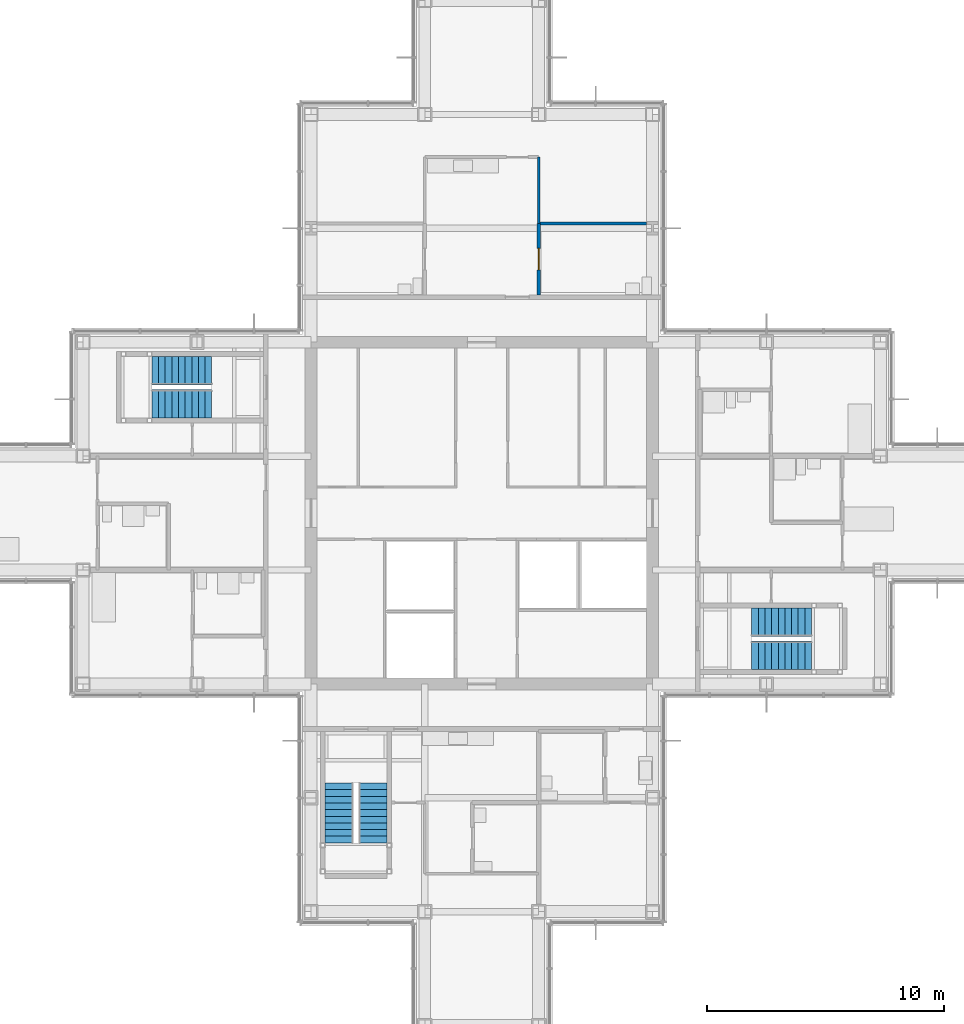
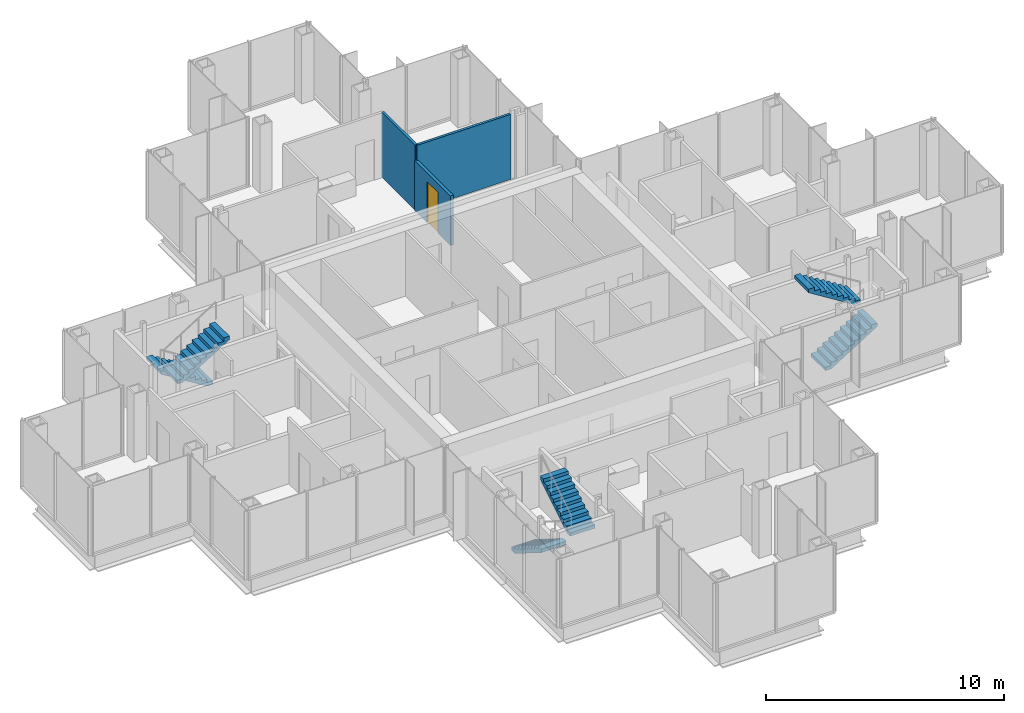
# One storey, part 14 of 17: 6 stair flights, 3 walls, 1 door, 1 opening, 3 elements without a shape of their own.
"""IFC4 building model written with IfcOpenShell, lengths in metres."""

from ifc_helpers import new_model, si_unit, direction, frame, frame_2d, origin, place, context, subcontext, project, spatial, polyline, rectangle, outline, extrude, material, layer, layer_set, type_object, element, fill, aggregate, save


model = new_model("IFC4")

# Units and contexts
model_context = context("Model", 3, precision=1e-05, world=origin(), true_north=direction((0.0, 1.0)))
body_context = subcontext(model_context, "Body", "Model", "MODEL_VIEW")
ifc_project = project(units=[si_unit("LENGTHUNIT", "METRE"), si_unit("AREAUNIT", "SQUARE_METRE"), si_unit("VOLUMEUNIT", "CUBIC_METRE"), si_unit("PLANEANGLEUNIT", "RADIAN"), si_unit("MASSUNIT", "GRAM", prefix="KILO")], contexts=[model_context])

# Site, building, storey
site_placement = place(None, origin())
site = spatial("IfcSite", under=ifc_project, at=site_placement, CompositionType="ELEMENT")
building_placement = place(site_placement, origin())
building = spatial("IfcBuilding", under=site, at=building_placement, Name="Kvirike Care Tower", CompositionType="ELEMENT")
storey_placement = place(building_placement, frame((0.0, 0.0, 158.5)))
storey = spatial("IfcBuildingStorey", under=building, at=storey_placement, Name="L43", CompositionType="ELEMENT", Elevation=158.5)

# Wall, opening, door
ifc_material_1 = material(Name="Moisture-resistant board partition", Category="gypsum")
ifc_layer_1 = layer(ifc_material_1, 0.14990234375)
ifc_layer_set_1 = layer_set([ifc_layer_1], Name="BATHROOM WALL 150")
wall_type_1 = type_object("IfcWallType", Name="BATHROOM WALL 150", PredefinedType="PARTITIONING", material=ifc_layer_set_1)
wall_1_placement = place(storey_placement, frame((24.0, 48.199951171875, 0.0), z_axis=(0.0, 0.0, 1.0), x_axis=(0.0, -1.0, 0.0)))
wall_1 = element("IfcWall", 1, at=wall_1_placement, inside=storey, type_object=wall_type_1, Name="Bathroom Wall 150 L43", PredefinedType="PARTITIONING", context=body_context, shape_type="SweptSolid", body=[
    extrude(rectangle(XDim=3.0, YDim=0.14990234375, at=frame_2d((1.5, 0.0))), origin(), (0.0, 0.0, 1.0), 2.550048828125),
])
opening_placement = place(wall_1_placement, frame((1.050048828125, 0.0, 0.0)))
opening = element("IfcOpeningElement", 2, at=opening_placement, cuts=wall_1, Name="Opening 43-017", PredefinedType="OPENING", context=body_context, shape_type="SweptSolid", body=[
    extrude(rectangle(XDim=0.89990234375, YDim=2.10009765625, at=frame_2d((0.449951171875, 1.050048828125))), frame((0.0, 0.08544921875, 0.0), z_axis=(0.0, -1.0, 0.0), x_axis=(1.0, 0.0, 0.0)), (0.0, 0.0, 1.0), 0.1708984375),
])
ifc_material_2 = material(Name="Timber door set", Category="wood")
door_type = type_object("IfcDoorType", Name="BATHROOM DOOR 900", OperationType="SINGLE_SWING_RIGHT", PredefinedType="DOOR", material=ifc_material_2)
door_placement = place(opening_placement, origin())
door = element("IfcDoor", 3, at=door_placement, inside=storey, type_object=door_type, Name="Accessible WC door", OperationType="SINGLE_SWING_LEFT", OverallHeight=2.10009765625, OverallWidth=0.89990234375, PredefinedType="DOOR", context=body_context, shape_type="SweptSolid", body=[
    extrude(rectangle(XDim=0.89990234375, YDim=2.10009765625, at=frame_2d((0.449951171875, 1.050048828125))), frame((0.0, 0.02197265625, 0.0), z_axis=(0.0, -1.0, 0.0), x_axis=(1.0, 0.0, 0.0)), (0.0, 0.0, 1.0), 0.0439453125),
])
fill(opening, door)

# Walls
ifc_material_3 = material(Name="Plasterboard partition", Category="gypsum")
ifc_layer_2 = layer(ifc_material_3, 0.1201171875)
ifc_layer_set_2 = layer_set([ifc_layer_2], Name="PARTITION 120")
wall_type_2 = type_object("IfcWallType", Name="PARTITION 120", PredefinedType="PARTITIONING", material=ifc_layer_set_2)
wall_2_placement = place(storey_placement, frame((28.552978515625, 48.199951171875, 0.0), z_axis=(0.0, 0.0, 1.0), x_axis=(-1.0, 0.0, 0.0)))
element("IfcWall", 4, at=wall_2_placement, inside=storey, type_object=wall_type_2, Name="Partition 120 L43", PredefinedType="PARTITIONING", context=body_context, shape_type="SweptSolid", body=[
    extrude(rectangle(XDim=4.552978515625, YDim=0.1201171875, at=frame_2d((2.2763671875, 0.0))), origin(), (0.0, 0.0, 1.0), 3.330078125),
])
wall_3_placement = place(storey_placement, frame((24.0, 51.0, 0.0), z_axis=(0.0, 0.0, 1.0), x_axis=(0.0, -1.0, 0.0)))
element("IfcWall", 5, at=wall_3_placement, inside=storey, type_object=wall_type_2, Name="Partition 120 L43", PredefinedType="PARTITIONING", context=body_context, shape_type="SweptSolid", body=[
    extrude(rectangle(XDim=2.800048828125, YDim=0.1201171875, at=frame_2d((1.39990234375, 0.0))), origin(), (0.0, 0.0, 1.0), 3.330078125),
])

# Stair, stair flights
ifc_material_4 = material(Name="Concrete C35/45", Category="concrete")
stair_type = type_object("IfcStairType", Name="STAIR 20 RISERS", PredefinedType="HALF_TURN_STAIR", material=ifc_material_4)
stair_1_placement = place(storey_placement, origin())
stair_1 = element("IfcStair", 6, at=stair_1_placement, inside=storey, type_object=stair_type, Name="Stair 1 L43", PredefinedType="HALF_TURN_STAIR")
ifc_material_5 = material(Name="Concrete C35/45", Category="concrete")
stair_flight_type = type_object("IfcStairFlightType", Name="FLIGHT 10 RISERS", PredefinedType="STRAIGHT", material=ifc_material_5)
stair_flight_1_placement = place(storey_placement, frame((10.219970703125, 42.0, 0.0), z_axis=(0.0, 0.0, 1.0), x_axis=(-1.0, 0.0, 0.0)))
stair_flight_1 = element("IfcStairFlight", 7, at=stair_flight_1_placement, type_object=stair_flight_type, Name="Stair S1 flight 1 L43-L44", NumberOfRisers=10, NumberOfTreads=9, PredefinedType="STRAIGHT", RiserHeight=0.175, TreadLength=0.28, context=body_context, shape_type="SweptSolid", body=[
    extrude(outline(polyline([(0.0, 0.0), (0.0, 0.175048828125), (0.280029296875, 0.175048828125), (0.280029296875, 0.35009765625), (0.56005859375, 0.35009765625), (0.56005859375, 0.52490234375), (0.840087890625, 0.52490234375), (0.840087890625, 0.699951171875), (1.1201171875, 0.699951171875), (1.1201171875, 0.875), (1.39990234375, 0.875), (1.39990234375, 1.050048828125), (1.679931640625, 1.050048828125), (1.679931640625, 1.22509765625), (1.9599609375, 1.22509765625), (1.9599609375, 1.39990234375), (2.239990234375, 1.39990234375), (2.239990234375, 1.574951171875), (2.52001953125, 1.574951171875), (2.52001953125, 1.75), (2.52001953125, 1.398193359375), (0.28271484375, 0.0), (0.0, 0.0)])), frame((0.0, 0.60009765625, 0.0), z_axis=(0.0, -1.0, 0.0), x_axis=(1.0, 0.0, 0.0)), (0.0, 0.0, 1.0), 1.199951171875),
])
stair_flight_2_placement = place(storey_placement, frame((7.699951171875, 40.60009765625, 1.75), z_axis=(0.0, 0.0, 1.0), x_axis=(1.0, 0.0, 0.0)))
stair_flight_2 = element("IfcStairFlight", 8, at=stair_flight_2_placement, type_object=stair_flight_type, Name="Stair S1 flight 2 L43-L44", NumberOfRisers=10, NumberOfTreads=9, PredefinedType="STRAIGHT", RiserHeight=0.175, TreadLength=0.28, context=body_context, shape_type="SweptSolid", body=[
    extrude(outline(polyline([(0.0, 0.0), (0.0, 0.175048828125), (0.280029296875, 0.175048828125), (0.280029296875, 0.35009765625), (0.56005859375, 0.35009765625), (0.56005859375, 0.52490234375), (0.840087890625, 0.52490234375), (0.840087890625, 0.699951171875), (1.1201171875, 0.699951171875), (1.1201171875, 0.875), (1.39990234375, 0.875), (1.39990234375, 1.050048828125), (1.679931640625, 1.050048828125), (1.679931640625, 1.22509765625), (1.9599609375, 1.22509765625), (1.9599609375, 1.39990234375), (2.239990234375, 1.39990234375), (2.239990234375, 1.574951171875), (2.52001953125, 1.574951171875), (2.52001953125, 1.75), (2.52001953125, 1.398193359375), (0.28271484375, 0.0), (0.0, 0.0)])), frame((0.0, 0.60009765625, 0.0), z_axis=(0.0, -1.0, 0.0), x_axis=(1.0, 0.0, 0.0)), (0.0, 0.0, 1.0), 1.199951171875),
])
aggregate(stair_1, [stair_flight_1, stair_flight_2])

stair_2_placement = place(storey_placement, origin())
stair_2 = element("IfcStair", 9, at=stair_2_placement, inside=storey, type_object=stair_type, Name="Stair 2 L43", PredefinedType="HALF_TURN_STAIR")
stair_flight_3_placement = place(storey_placement, frame((32.97998046875, 30.0, 0.0), z_axis=(0.0, 0.0, 1.0), x_axis=(1.0, 0.0, 0.0)))
stair_flight_3 = element("IfcStairFlight", 10, at=stair_flight_3_placement, type_object=stair_flight_type, Name="Stair S2 flight 1 L43-L44", NumberOfRisers=10, NumberOfTreads=9, PredefinedType="STRAIGHT", RiserHeight=0.175, TreadLength=0.28, context=body_context, shape_type="SweptSolid", body=[
    extrude(outline(polyline([(0.0, 0.0), (0.0, 0.175048828125), (0.280029296875, 0.175048828125), (0.280029296875, 0.35009765625), (0.56005859375, 0.35009765625), (0.56005859375, 0.52490234375), (0.840087890625, 0.52490234375), (0.840087890625, 0.699951171875), (1.1201171875, 0.699951171875), (1.1201171875, 0.875), (1.39990234375, 0.875), (1.39990234375, 1.050048828125), (1.679931640625, 1.050048828125), (1.679931640625, 1.22509765625), (1.9599609375, 1.22509765625), (1.9599609375, 1.39990234375), (2.239990234375, 1.39990234375), (2.239990234375, 1.574951171875), (2.52001953125, 1.574951171875), (2.52001953125, 1.75), (2.52001953125, 1.398193359375), (0.28271484375, 0.0), (0.0, 0.0)])), frame((0.0, 0.60009765625, 0.0), z_axis=(0.0, -1.0, 0.0), x_axis=(1.0, 0.0, 0.0)), (0.0, 0.0, 1.0), 1.199951171875),
])
stair_flight_4_placement = place(storey_placement, frame((35.5, 31.39990234375, 1.75), z_axis=(0.0, 0.0, 1.0), x_axis=(-1.0, 0.0, 0.0)))
stair_flight_4 = element("IfcStairFlight", 11, at=stair_flight_4_placement, type_object=stair_flight_type, Name="Stair S2 flight 2 L43-L44", NumberOfRisers=10, NumberOfTreads=9, PredefinedType="STRAIGHT", RiserHeight=0.175, TreadLength=0.28, context=body_context, shape_type="SweptSolid", body=[
    extrude(outline(polyline([(0.0, 0.0), (0.0, 0.175048828125), (0.280029296875, 0.175048828125), (0.280029296875, 0.35009765625), (0.56005859375, 0.35009765625), (0.56005859375, 0.52490234375), (0.840087890625, 0.52490234375), (0.840087890625, 0.699951171875), (1.1201171875, 0.699951171875), (1.1201171875, 0.875), (1.39990234375, 0.875), (1.39990234375, 1.050048828125), (1.679931640625, 1.050048828125), (1.679931640625, 1.22509765625), (1.9599609375, 1.22509765625), (1.9599609375, 1.39990234375), (2.239990234375, 1.39990234375), (2.239990234375, 1.574951171875), (2.52001953125, 1.574951171875), (2.52001953125, 1.75), (2.52001953125, 1.398193359375), (0.28271484375, 0.0), (0.0, 0.0)])), frame((0.0, 0.60009765625, 0.0), z_axis=(0.0, -1.0, 0.0), x_axis=(1.0, 0.0, 0.0)), (0.0, 0.0, 1.0), 1.199951171875),
])
aggregate(stair_2, [stair_flight_3, stair_flight_4])

stair_3_placement = place(storey_placement, origin())
stair_3 = element("IfcStair", 12, at=stair_3_placement, inside=storey, type_object=stair_type, Name="Stair 5 L43", PredefinedType="HALF_TURN_STAIR")
stair_flight_5_placement = place(storey_placement, frame((15.60009765625, 24.6201171875, 0.0), z_axis=(0.0, 0.0, 1.0), x_axis=(0.0, -1.0, 0.0)))
stair_flight_5 = element("IfcStairFlight", 13, at=stair_flight_5_placement, type_object=stair_flight_type, Name="Stair S5 flight 1 L43-L44", NumberOfRisers=10, NumberOfTreads=9, PredefinedType="STRAIGHT", RiserHeight=0.175, TreadLength=0.28, context=body_context, shape_type="SweptSolid", body=[
    extrude(outline(polyline([(0.0, 0.0), (0.0, 0.175048828125), (0.280029296875, 0.175048828125), (0.280029296875, 0.35009765625), (0.56005859375, 0.35009765625), (0.56005859375, 0.52490234375), (0.840087890625, 0.52490234375), (0.840087890625, 0.699951171875), (1.1201171875, 0.699951171875), (1.1201171875, 0.875), (1.39990234375, 0.875), (1.39990234375, 1.050048828125), (1.679931640625, 1.050048828125), (1.679931640625, 1.22509765625), (1.9599609375, 1.22509765625), (1.9599609375, 1.39990234375), (2.239990234375, 1.39990234375), (2.239990234375, 1.574951171875), (2.52001953125, 1.574951171875), (2.52001953125, 1.75), (2.52001953125, 1.398193359375), (0.28271484375, 0.0), (0.0, 0.0)])), frame((0.0, 0.60009765625, 0.0), z_axis=(0.0, -1.0, 0.0), x_axis=(1.0, 0.0, 0.0)), (0.0, 0.0, 1.0), 1.199951171875),
])
stair_flight_6_placement = place(storey_placement, frame((17.0, 22.10009765625, 1.75), z_axis=(0.0, 0.0, 1.0), x_axis=(0.0, 1.0, 0.0)))
stair_flight_6 = element("IfcStairFlight", 14, at=stair_flight_6_placement, type_object=stair_flight_type, Name="Stair S5 flight 2 L43-L44", NumberOfRisers=10, NumberOfTreads=9, PredefinedType="STRAIGHT", RiserHeight=0.175, TreadLength=0.28, context=body_context, shape_type="SweptSolid", body=[
    extrude(outline(polyline([(0.0, 0.0), (0.0, 0.175048828125), (0.280029296875, 0.175048828125), (0.280029296875, 0.35009765625), (0.56005859375, 0.35009765625), (0.56005859375, 0.52490234375), (0.840087890625, 0.52490234375), (0.840087890625, 0.699951171875), (1.1201171875, 0.699951171875), (1.1201171875, 0.875), (1.39990234375, 0.875), (1.39990234375, 1.050048828125), (1.679931640625, 1.050048828125), (1.679931640625, 1.22509765625), (1.9599609375, 1.22509765625), (1.9599609375, 1.39990234375), (2.239990234375, 1.39990234375), (2.239990234375, 1.574951171875), (2.52001953125, 1.574951171875), (2.52001953125, 1.75), (2.52001953125, 1.398193359375), (0.28271484375, 0.0), (0.0, 0.0)])), frame((0.0, 0.60009765625, 0.0), z_axis=(0.0, -1.0, 0.0), x_axis=(1.0, 0.0, 0.0)), (0.0, 0.0, 1.0), 1.199951171875),
])
aggregate(stair_3, [stair_flight_5, stair_flight_6])

save(model, "model.ifc")
